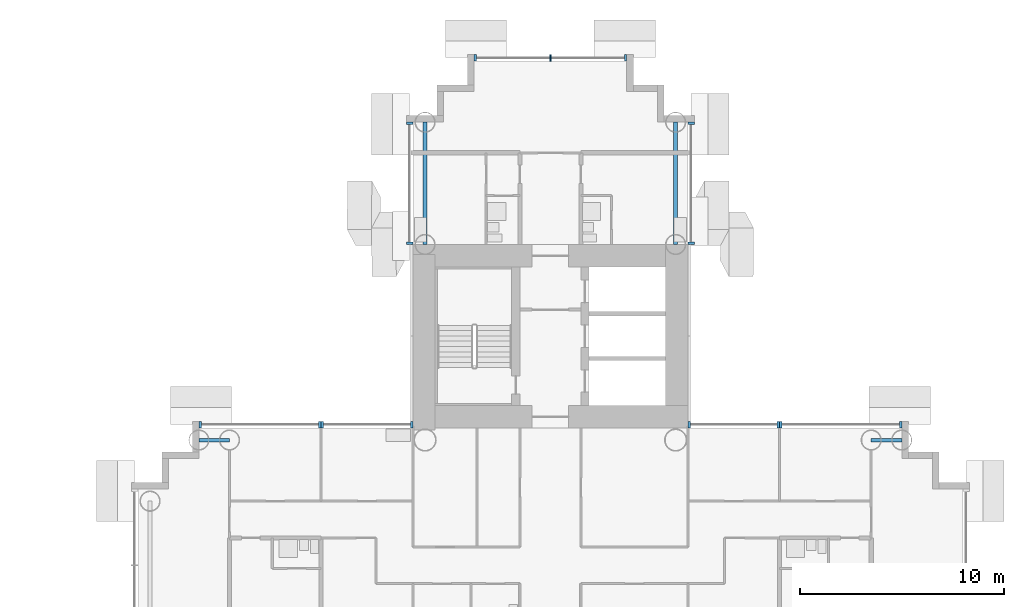
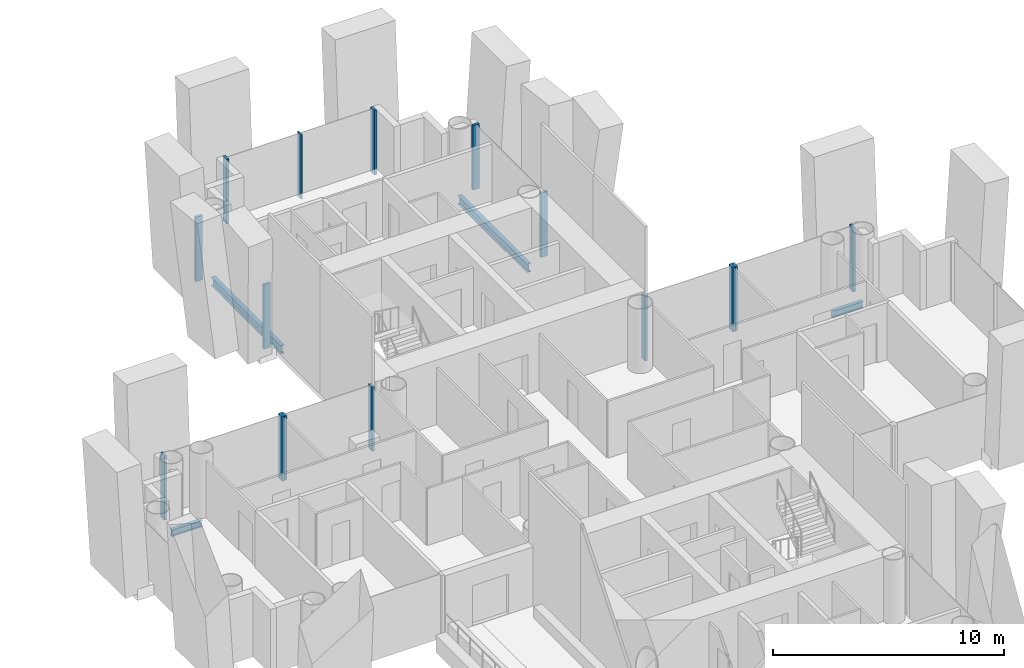
# One storey, part 7 of 23: 15 members, 4 beams, 7 elements without a shape of their own.
"""IFC4 building model written with IfcOpenShell, lengths in metres."""

from ifc_helpers import new_model, si_unit, direction, frame, origin, origin_2d, place, context, subcontext, project, spatial, rectangle, i_section, extrude, material, layer, layer_set, material_profile, profile_set, type_object, element, aggregate, save


model = new_model("IFC4")

# Units and contexts
model_context = context("Model", 3, precision=1e-05, world=origin(), true_north=direction((0.0, 1.0)))
body_context = subcontext(model_context, "Body", "Model", "MODEL_VIEW")
ifc_project = project(units=[si_unit("LENGTHUNIT", "METRE"), si_unit("AREAUNIT", "SQUARE_METRE"), si_unit("VOLUMEUNIT", "CUBIC_METRE"), si_unit("PLANEANGLEUNIT", "RADIAN"), si_unit("MASSUNIT", "GRAM", prefix="KILO")], contexts=[model_context])

# Site, building, storey
site_placement = place(None, origin())
site = spatial("IfcSite", under=ifc_project, at=site_placement, CompositionType="ELEMENT")
building_placement = place(site_placement, origin())
building = spatial("IfcBuilding", under=site, at=building_placement, Name="Ipe Terrace Towers", CompositionType="ELEMENT")
storey_placement = place(building_placement, frame((0.0, 0.0, 51.699951171875)))
storey = spatial("IfcBuildingStorey", under=building, at=storey_placement, Name="L13", CompositionType="ELEMENT", Elevation=51.699951171875)

# Beams
ifc_material_1 = material(Name="Steel S355", Category="steel")
ifc_material_profile_1 = material_profile(ifc_material_1, i_section(OverallWidth=0.175048828125, OverallDepth=0.35009765625, WebThickness=0.007080078125, FlangeThickness=0.010986328125, at=origin_2d()), Name="H-350x175x7x11")
ifc_profile_set_1 = profile_set([ifc_material_profile_1], Name="Steel S355")
beam_type_1 = type_object("IfcBeamType", Name="H04 EDGE BEAM H-350x175x7x11", PredefinedType="BEAM", material=ifc_profile_set_1)
for number, where, z_axis, x_axis, name in (
    (1, (20.25, 6.14990234375, -0.574951171875), (-1.0, 0.0, 0.0), (0.0, -1.0, 0.0), "Edge beam T2-EB-B03-B05"),
    (2, (51.75, 6.14990234375, -0.574951171875), (1.0, 0.0, 0.0), (0.0, 1.0, 0.0), "Edge beam T2-EB-D04-D06"),
):
    element("IfcBeam", number, at=place(storey_placement, frame(where, z_axis=z_axis, x_axis=x_axis)), inside=storey, type_object=beam_type_1, Name=name, PredefinedType="BEAM", context=body_context, shape_type="SweptSolid", body=[
        extrude(i_section(OverallWidth=0.175048828125, OverallDepth=0.35009765625, WebThickness=0.007080078125, FlangeThickness=0.010986328125, at=origin_2d()), origin(), (0.0, 0.0, 1.0), 1.5),
    ])
ifc_material_2 = material(Name="Steel S355", Category="steel")
ifc_material_profile_2 = material_profile(ifc_material_2, i_section(OverallWidth=0.199951171875, OverallDepth=0.449951171875, WebThickness=0.009033203125, FlangeThickness=0.013916015625, at=origin_2d()), Name="H-450x200x9x14")
ifc_profile_set_2 = profile_set([ifc_material_profile_2], Name="Steel S355")
beam_type_2 = type_object("IfcBeamType", Name="H08 EDGE BEAM H-450x200x9x14", PredefinedType="BEAM", material=ifc_profile_set_2)
for number, where, z_axis, x_axis, name in (
    (3, (42.14990234375, 15.75, -0.625), (0.0, 1.0, 0.0), (-1.0, 0.0, 0.0), "Edge beam T2-EB-A01-A03"),
    (4, (29.85009765625, 15.75, -0.625), (0.0, 1.0, 0.0), (-1.0, 0.0, 0.0), "Edge beam T2-EB-A02-A04"),
):
    element("IfcBeam", number, at=place(storey_placement, frame(where, z_axis=z_axis, x_axis=x_axis)), inside=storey, type_object=beam_type_2, Name=name, PredefinedType="BEAM", context=body_context, shape_type="SweptSolid", body=[
        extrude(i_section(OverallWidth=0.199951171875, OverallDepth=0.449951171875, WebThickness=0.009033203125, FlangeThickness=0.013916015625, at=origin_2d()), origin(), (0.0, 0.0, 1.0), 6.0),
    ])

# Curtain wall, members
ifc_material_3 = material(Name="Aluminium alloy 6063-T6", Category="aluminium")
ifc_layer = layer(ifc_material_3, 0.320068359375)
ifc_layer_set = layer_set([ifc_layer], Name="TOWER UNITISED CURTAIN WALL")
curtain_wall_type = type_object("IfcCurtainWallType", Name="TOWER UNITISED CURTAIN WALL", PredefinedType="NOTDEFINED", material=ifc_layer_set)
curtain_wall_1_placement = place(storey_placement, origin())
curtain_wall_1 = element("IfcCurtainWall", 5, at=curtain_wall_1_placement, inside=storey, type_object=curtain_wall_type, Name="T2-CW-L13-17a curtain wall", PredefinedType="NOTDEFINED")
ifc_material_4 = material(Name="Aluminium alloy 6063-T6", Category="aluminium")
ifc_material_profile_3 = material_profile(ifc_material_4, rectangle(XDim=0.320068359375, YDim=0.1201171875, at=origin_2d()), Name="TOWER UNITISED CORNER MULLION 320 x 120")
ifc_profile_set_3 = profile_set([ifc_material_profile_3], Name="Aluminium alloy 6063-T6")
member_type_1 = type_object("IfcMemberType", Name="TOWER UNITISED CORNER MULLION 320 x 120", PredefinedType="MULLION", material=ifc_profile_set_3)
member_1_placement = place(storey_placement, frame((53.18994140625, 6.909912109375, -0.300048828125), z_axis=(0.0, 0.0, 1.0), x_axis=(0.0, 1.0, 0.0)))
member_1 = element("IfcMember", 6, at=member_1_placement, type_object=member_type_1, Name="T2-CW-L13-17a mullion 1", PredefinedType="MULLION", context=body_context, shape_type="SweptSolid", body=[
    extrude(rectangle(XDim=0.320068359375, YDim=0.1201171875, at=origin_2d()), origin(), (0.0, 0.0, 1.0), 3.400146484375),
])
member_2_placement = place(storey_placement, frame((47.31005859375, 6.909912109375, -0.300048828125), z_axis=(0.0, 0.0, 1.0), x_axis=(0.0, 1.0, 0.0)))
member_2 = element("IfcMember", 7, at=member_2_placement, type_object=member_type_1, Name="T2-CW-L13-17a mullion 2", PredefinedType="MULLION", context=body_context, shape_type="SweptSolid", body=[
    extrude(rectangle(XDim=0.320068359375, YDim=0.1201171875, at=origin_2d()), origin(), (0.0, 0.0, 1.0), 3.400146484375),
])
aggregate(curtain_wall_1, [member_1, member_2])

curtain_wall_2_placement = place(storey_placement, origin())
curtain_wall_2 = element("IfcCurtainWall", 8, at=curtain_wall_2_placement, inside=storey, type_object=curtain_wall_type, Name="T2-CW-L13-18a curtain wall", PredefinedType="NOTDEFINED")
member_3_placement = place(storey_placement, frame((47.18994140625, 6.909912109375, -0.300048828125), z_axis=(0.0, 0.0, 1.0), x_axis=(0.0, 1.0, 0.0)))
member_3 = element("IfcMember", 9, at=member_3_placement, type_object=member_type_1, Name="T2-CW-L13-18a mullion 1", PredefinedType="MULLION", context=body_context, shape_type="SweptSolid", body=[
    extrude(rectangle(XDim=0.320068359375, YDim=0.1201171875, at=origin_2d()), origin(), (0.0, 0.0, 1.0), 3.400146484375),
])
member_4_placement = place(storey_placement, frame((42.81005859375, 6.909912109375, -0.300048828125), z_axis=(0.0, 0.0, 1.0), x_axis=(0.0, 1.0, 0.0)))
member_4 = element("IfcMember", 10, at=member_4_placement, type_object=member_type_1, Name="T2-CW-L13-18a mullion 2", PredefinedType="MULLION", context=body_context, shape_type="SweptSolid", body=[
    extrude(rectangle(XDim=0.320068359375, YDim=0.1201171875, at=origin_2d()), origin(), (0.0, 0.0, 1.0), 3.400146484375),
])
aggregate(curtain_wall_2, [member_3, member_4])

curtain_wall_3_placement = place(storey_placement, origin())
curtain_wall_3 = element("IfcCurtainWall", 11, at=curtain_wall_3_placement, inside=storey, type_object=curtain_wall_type, Name="T2-CW-L13-20b curtain wall", PredefinedType="NOTDEFINED")
member_5_placement = place(storey_placement, frame((42.909912109375, 15.81103515625, -0.300048828125), z_axis=(0.0, 0.0, 1.0), x_axis=(1.0, 0.0, 0.0)))
member_5 = element("IfcMember", 12, at=member_5_placement, type_object=member_type_1, Name="T2-CW-L13-20b mullion 1", PredefinedType="MULLION", context=body_context, shape_type="SweptSolid", body=[
    extrude(rectangle(XDim=0.320068359375, YDim=0.1201171875, at=origin_2d()), origin(), (0.0, 0.0, 1.0), 3.400146484375),
])
member_6_placement = place(storey_placement, frame((42.909912109375, 21.68994140625, -0.300048828125), z_axis=(0.0, 0.0, 1.0), x_axis=(1.0, 0.0, 0.0)))
member_6 = element("IfcMember", 13, at=member_6_placement, type_object=member_type_1, Name="T2-CW-L13-20b mullion 2", PredefinedType="MULLION", context=body_context, shape_type="SweptSolid", body=[
    extrude(rectangle(XDim=0.320068359375, YDim=0.1201171875, at=origin_2d()), origin(), (0.0, 0.0, 1.0), 3.400146484375),
])
aggregate(curtain_wall_3, [member_5, member_6])

curtain_wall_4_placement = place(storey_placement, origin())
curtain_wall_4 = element("IfcCurtainWall", 14, at=curtain_wall_4_placement, inside=storey, type_object=curtain_wall_type, Name="T2-CW-L13-25a curtain wall", PredefinedType="NOTDEFINED")
member_7_placement = place(storey_placement, frame((39.68994140625, 24.909912109375, -0.300048828125), z_axis=(0.0, 0.0, 1.0), x_axis=(0.0, 1.0, 0.0)))
member_7 = element("IfcMember", 15, at=member_7_placement, type_object=member_type_1, Name="T2-CW-L13-25a mullion 1", PredefinedType="MULLION", context=body_context, shape_type="SweptSolid", body=[
    extrude(rectangle(XDim=0.320068359375, YDim=0.1201171875, at=origin_2d()), origin(), (0.0, 0.0, 1.0), 3.400146484375),
])
member_8_placement = place(storey_placement, frame((32.31005859375, 24.909912109375, -0.300048828125), z_axis=(0.0, 0.0, 1.0), x_axis=(0.0, 1.0, 0.0)))
member_8 = element("IfcMember", 16, at=member_8_placement, type_object=member_type_1, Name="T2-CW-L13-25a mullion 3", PredefinedType="MULLION", context=body_context, shape_type="SweptSolid", body=[
    extrude(rectangle(XDim=0.320068359375, YDim=0.1201171875, at=origin_2d()), origin(), (0.0, 0.0, 1.0), 3.400146484375),
])

curtain_wall_5_placement = place(storey_placement, origin())
curtain_wall_5 = element("IfcCurtainWall", 17, at=curtain_wall_5_placement, inside=storey, type_object=curtain_wall_type, Name="T2-CW-L13-30a curtain wall", PredefinedType="NOTDEFINED")
member_9_placement = place(storey_placement, frame((29.090087890625, 21.68994140625, -0.300048828125), z_axis=(0.0, 0.0, 1.0), x_axis=(-1.0, 0.0, 0.0)))
member_9 = element("IfcMember", 18, at=member_9_placement, type_object=member_type_1, Name="T2-CW-L13-30a mullion 1", PredefinedType="MULLION", context=body_context, shape_type="SweptSolid", body=[
    extrude(rectangle(XDim=0.320068359375, YDim=0.1201171875, at=origin_2d()), origin(), (0.0, 0.0, 1.0), 3.400146484375),
])
member_10_placement = place(storey_placement, frame((29.090087890625, 15.81103515625, -0.300048828125), z_axis=(0.0, 0.0, 1.0), x_axis=(-1.0, 0.0, 0.0)))
member_10 = element("IfcMember", 19, at=member_10_placement, type_object=member_type_1, Name="T2-CW-L13-30a mullion 2", PredefinedType="MULLION", context=body_context, shape_type="SweptSolid", body=[
    extrude(rectangle(XDim=0.320068359375, YDim=0.1201171875, at=origin_2d()), origin(), (0.0, 0.0, 1.0), 3.400146484375),
])
aggregate(curtain_wall_5, [member_9, member_10])

curtain_wall_6_placement = place(storey_placement, origin())
curtain_wall_6 = element("IfcCurtainWall", 20, at=curtain_wall_6_placement, inside=storey, type_object=curtain_wall_type, Name="T2-CW-L13-32a curtain wall", PredefinedType="NOTDEFINED")
member_11_placement = place(storey_placement, frame((29.18994140625, 6.909912109375, -0.300048828125), z_axis=(0.0, 0.0, 1.0), x_axis=(0.0, 1.0, 0.0)))
member_11 = element("IfcMember", 21, at=member_11_placement, type_object=member_type_1, Name="T2-CW-L13-32a mullion 1", PredefinedType="MULLION", context=body_context, shape_type="SweptSolid", body=[
    extrude(rectangle(XDim=0.320068359375, YDim=0.1201171875, at=origin_2d()), origin(), (0.0, 0.0, 1.0), 3.400146484375),
])
member_12_placement = place(storey_placement, frame((24.81005859375, 6.909912109375, -0.300048828125), z_axis=(0.0, 0.0, 1.0), x_axis=(0.0, 1.0, 0.0)))
member_12 = element("IfcMember", 22, at=member_12_placement, type_object=member_type_1, Name="T2-CW-L13-32a mullion 2", PredefinedType="MULLION", context=body_context, shape_type="SweptSolid", body=[
    extrude(rectangle(XDim=0.320068359375, YDim=0.1201171875, at=origin_2d()), origin(), (0.0, 0.0, 1.0), 3.400146484375),
])
aggregate(curtain_wall_6, [member_11, member_12])

curtain_wall_7_placement = place(storey_placement, origin())
curtain_wall_7 = element("IfcCurtainWall", 23, at=curtain_wall_7_placement, inside=storey, type_object=curtain_wall_type, Name="T2-CW-L13-33a curtain wall", PredefinedType="NOTDEFINED")
member_13_placement = place(storey_placement, frame((24.68994140625, 6.909912109375, -0.300048828125), z_axis=(0.0, 0.0, 1.0), x_axis=(0.0, 1.0, 0.0)))
member_13 = element("IfcMember", 24, at=member_13_placement, type_object=member_type_1, Name="T2-CW-L13-33a mullion 1", PredefinedType="MULLION", context=body_context, shape_type="SweptSolid", body=[
    extrude(rectangle(XDim=0.320068359375, YDim=0.1201171875, at=origin_2d()), origin(), (0.0, 0.0, 1.0), 3.400146484375),
])
member_14_placement = place(storey_placement, frame((18.81005859375, 6.909912109375, -0.300048828125), z_axis=(0.0, 0.0, 1.0), x_axis=(0.0, 1.0, 0.0)))
member_14 = element("IfcMember", 25, at=member_14_placement, type_object=member_type_1, Name="T2-CW-L13-33a mullion 2", PredefinedType="MULLION", context=body_context, shape_type="SweptSolid", body=[
    extrude(rectangle(XDim=0.320068359375, YDim=0.1201171875, at=origin_2d()), origin(), (0.0, 0.0, 1.0), 3.400146484375),
])
aggregate(curtain_wall_7, [member_13, member_14])

# Member
ifc_material_5 = material(Name="Aluminium alloy 6063-T6", Category="aluminium")
ifc_material_profile_4 = material_profile(ifc_material_5, rectangle(XDim=0.320068359375, YDim=0.06494140625, at=origin_2d()), Name="TOWER UNITISED MULLION 320 x 65")
ifc_profile_set_4 = profile_set([ifc_material_profile_4], Name="Aluminium alloy 6063-T6")
member_type_2 = type_object("IfcMemberType", Name="TOWER UNITISED MULLION 320 x 65", PredefinedType="MULLION", material=ifc_profile_set_4)
member_15_placement = place(storey_placement, frame((36.0, 24.909912109375, -0.300048828125), z_axis=(0.0, 0.0, 1.0), x_axis=(0.0, 1.0, 0.0)))
member_15 = element("IfcMember", 26, at=member_15_placement, type_object=member_type_2, Name="T2-CW-L13-25a mullion 2", PredefinedType="MULLION", context=body_context, shape_type="SweptSolid", body=[
    extrude(rectangle(XDim=0.320068359375, YDim=0.06494140625, at=origin_2d()), origin(), (0.0, 0.0, 1.0), 3.400146484375),
])

aggregate(curtain_wall_4, [member_7, member_15, member_8])

save(model, "model.ifc")
